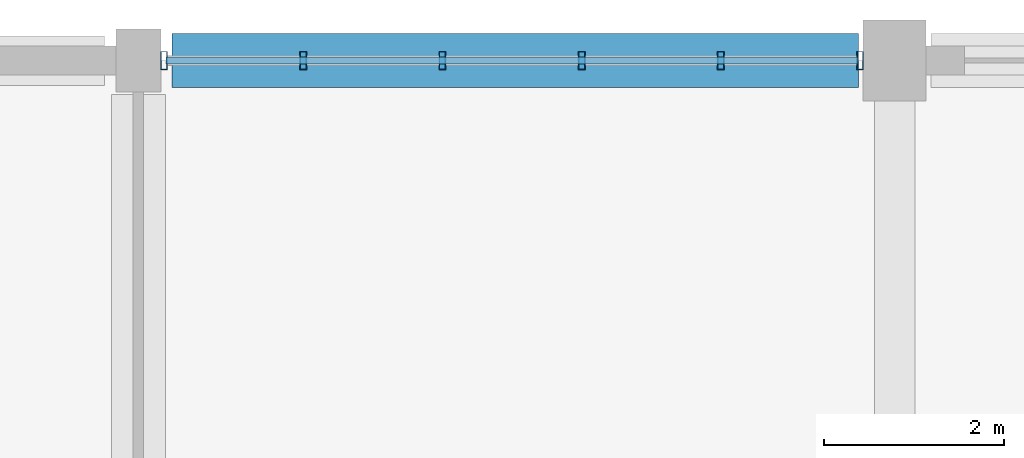
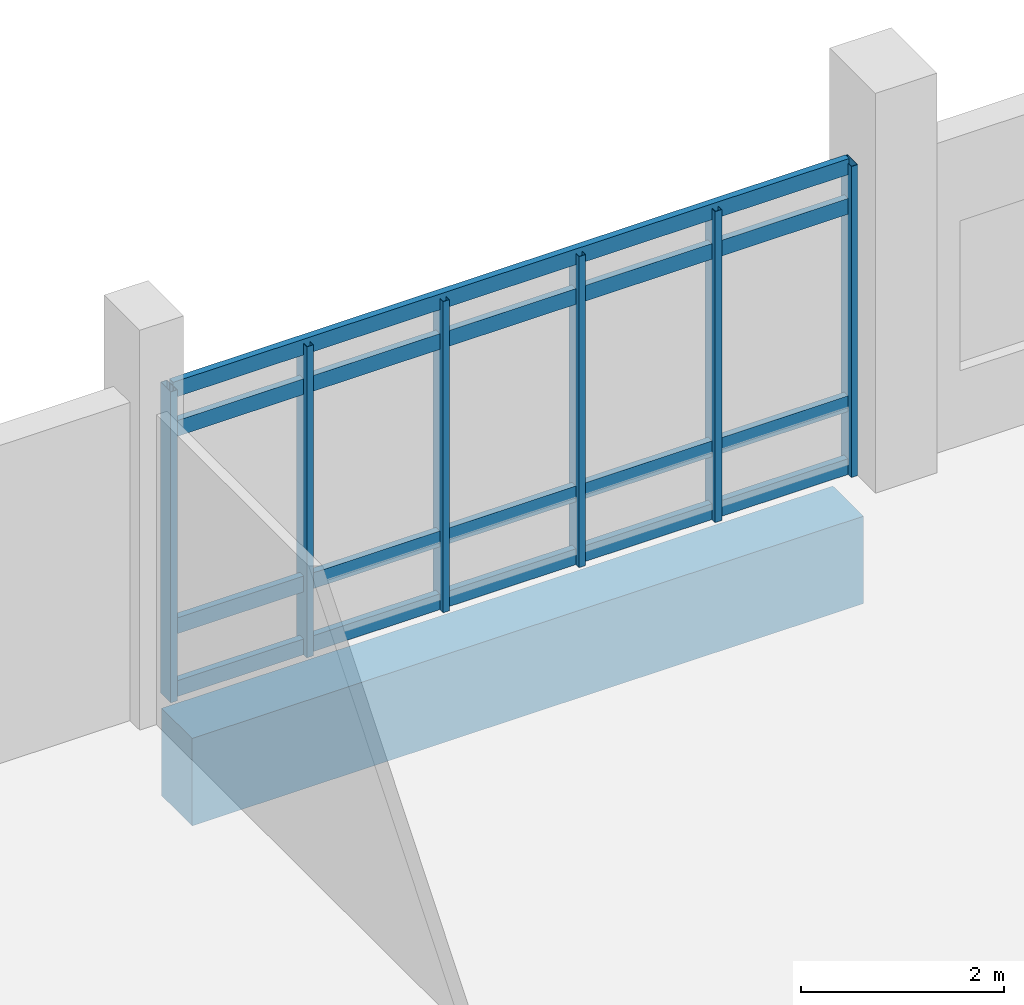
# One storey, part 56 of 95: 10 members, 1 beam, 1 element without a shape of its own.
"""IFC4 building model written with IfcOpenShell, lengths in metres."""

from ifc_helpers import new_model, si_unit, direction, frame, origin, origin_2d, place, context, subcontext, project, spatial, rectangle, hollow_rectangle, extrude, material, layer, layer_set, material_profile, profile_set, type_object, element, aggregate, save


model = new_model("IFC4")

# Units and contexts
model_context = context("Model", 3, precision=1e-05, world=origin(), true_north=direction((0.0, 1.0)))
body_context = subcontext(model_context, "Body", "Model", "MODEL_VIEW")
ifc_project = project(units=[si_unit("LENGTHUNIT", "METRE"), si_unit("AREAUNIT", "SQUARE_METRE"), si_unit("VOLUMEUNIT", "CUBIC_METRE"), si_unit("PLANEANGLEUNIT", "RADIAN"), si_unit("MASSUNIT", "GRAM", prefix="KILO")], contexts=[model_context])

# Site, building, storey
site_placement = place(None, origin())
site = spatial("IfcSite", under=ifc_project, at=site_placement, CompositionType="ELEMENT")
building_placement = place(site_placement, origin())
building = spatial("IfcBuilding", under=site, at=building_placement, Name="Vireocrest Preparatory School", CompositionType="ELEMENT")
storey_placement = place(building_placement, origin())
storey = spatial("IfcBuildingStorey", under=building, at=storey_placement, Name="L00", CompositionType="ELEMENT", Elevation=0.0)

# Curtain wall, members
ifc_material_1 = material(Name="Thermally broken aluminium EN AW-6063-T6", Category="aluminium")
ifc_layer = layer(ifc_material_1, 0.179931640625)
ifc_layer_set = layer_set([ifc_layer], Name="Thermally broken aluminium EN AW-6063-T6")
curtain_wall_type = type_object("IfcCurtainWallType", Name="North Street Curtain Wall 8400x4000", PredefinedType="USERDEFINED", material=ifc_layer_set)
curtain_wall_placement = place(storey_placement, origin())
curtain_wall = element("IfcCurtainWall", 1, at=curtain_wall_placement, inside=storey, type_object=curtain_wall_type, Name="Curtain Wall CW05 CW_L00_CW05_0842_1128_000", ObjectType="CURTAIN WALL", PredefinedType="USERDEFINED")
ifc_material_profile_1 = material_profile(ifc_material_1, hollow_rectangle(XDim=0.074951171875, YDim=0.199951171875, WallThickness=0.0048828125, at=origin_2d()), Name="ALU 75x200x5")
ifc_profile_set_1 = profile_set([ifc_material_profile_1], Name="Thermally broken aluminium EN AW-6063-T6")
member_type_1 = type_object("IfcMemberType", Name="CW Mullion 75x200x5", PredefinedType="MULLION", material=ifc_profile_set_1)
member_1_placement = place(storey_placement, frame((84.284912109375, 112.800048828125, 0.0), z_axis=(0.0, 0.0, 1.0), x_axis=(1.0, 0.0, 0.0)))
member_1 = element("IfcMember", 2, at=member_1_placement, type_object=member_type_1, Name="CW Mullion ML3 CW_L00_CW05_0842_1128_000-1", PredefinedType="MULLION", context=body_context, shape_type="SweptSolid", body=[
    extrude(hollow_rectangle(XDim=0.074951171875, YDim=0.199951171875, WallThickness=0.0048828125, at=origin_2d()), origin(), (0.0, 0.0, 1.0), 3.735107421875),
])
member_2_placement = place(storey_placement, frame((85.8310546875, 112.800048828125, 0.0), z_axis=(0.0, 0.0, 1.0), x_axis=(1.0, 0.0, 0.0)))
member_2 = element("IfcMember", 3, at=member_2_placement, type_object=member_type_1, Name="CW Mullion ML3 CW_L00_CW05_0842_1128_000-2", PredefinedType="MULLION", context=body_context, shape_type="SweptSolid", body=[
    extrude(hollow_rectangle(XDim=0.074951171875, YDim=0.199951171875, WallThickness=0.0048828125, at=origin_2d()), origin(), (0.0, 0.0, 1.0), 3.735107421875),
])
member_3_placement = place(storey_placement, frame((87.376953125, 112.800048828125, 0.0), z_axis=(0.0, 0.0, 1.0), x_axis=(1.0, 0.0, 0.0)))
member_3 = element("IfcMember", 4, at=member_3_placement, type_object=member_type_1, Name="CW Mullion ML3 CW_L00_CW05_0842_1128_000-3", PredefinedType="MULLION", context=body_context, shape_type="SweptSolid", body=[
    extrude(hollow_rectangle(XDim=0.074951171875, YDim=0.199951171875, WallThickness=0.0048828125, at=origin_2d()), origin(), (0.0, 0.0, 1.0), 3.735107421875),
])
member_4_placement = place(storey_placement, frame((88.923095703125, 112.800048828125, 0.0), z_axis=(0.0, 0.0, 1.0), x_axis=(1.0, 0.0, 0.0)))
member_4 = element("IfcMember", 5, at=member_4_placement, type_object=member_type_1, Name="CW Mullion ML3 CW_L00_CW05_0842_1128_000-4", PredefinedType="MULLION", context=body_context, shape_type="SweptSolid", body=[
    extrude(hollow_rectangle(XDim=0.074951171875, YDim=0.199951171875, WallThickness=0.0048828125, at=origin_2d()), origin(), (0.0, 0.0, 1.0), 3.735107421875),
])
member_5_placement = place(storey_placement, frame((90.468994140625, 112.800048828125, 0.0), z_axis=(0.0, 0.0, 1.0), x_axis=(1.0, 0.0, 0.0)))
member_5 = element("IfcMember", 6, at=member_5_placement, type_object=member_type_1, Name="CW Mullion ML3 CW_L00_CW05_0842_1128_000-5", PredefinedType="MULLION", context=body_context, shape_type="SweptSolid", body=[
    extrude(hollow_rectangle(XDim=0.074951171875, YDim=0.199951171875, WallThickness=0.0048828125, at=origin_2d()), origin(), (0.0, 0.0, 1.0), 3.735107421875),
])
member_6_placement = place(storey_placement, frame((92.014892578125, 112.800048828125, 0.0), z_axis=(0.0, 0.0, 1.0), x_axis=(1.0, 0.0, 0.0)))
member_6 = element("IfcMember", 7, at=member_6_placement, type_object=member_type_1, Name="CW Mullion ML3 CW_L00_CW05_0842_1128_000-6", PredefinedType="MULLION", context=body_context, shape_type="SweptSolid", body=[
    extrude(hollow_rectangle(XDim=0.074951171875, YDim=0.199951171875, WallThickness=0.0048828125, at=origin_2d()), origin(), (0.0, 0.0, 1.0), 3.735107421875),
])
ifc_material_profile_2 = material_profile(ifc_material_1, hollow_rectangle(XDim=0.074951171875, YDim=0.18994140625, WallThickness=0.00390625, at=origin_2d()), Name="ALU 75x190x4")
ifc_profile_set_2 = profile_set([ifc_material_profile_2], Name="Thermally broken aluminium EN AW-6063-T6")
member_type_2 = type_object("IfcMemberType", Name="CW Transom 75x190x4", PredefinedType="USERDEFINED", material=ifc_profile_set_2)
member_7_placement = place(storey_placement, frame((84.31005859375, 112.800048828125, 0.094970703125), z_axis=(1.0, 0.0, 0.0), x_axis=(0.0, 1.0, 0.0)))
member_7 = element("IfcMember", 8, at=member_7_placement, type_object=member_type_2, Name="CW Transom TR3 CW_L00_CW05_0842_1128_000-1", ObjectType="TRANSOM", PredefinedType="USERDEFINED", context=body_context, shape_type="SweptSolid", body=[
    extrude(hollow_rectangle(XDim=0.074951171875, YDim=0.18994140625, WallThickness=0.00390625, at=origin_2d()), origin(), (0.0, 0.0, 1.0), 7.679931640625),
])
member_8_placement = place(storey_placement, frame((84.31005859375, 112.800048828125, 0.85009765625), z_axis=(1.0, 0.0, 0.0), x_axis=(0.0, 1.0, 0.0)))
member_8 = element("IfcMember", 9, at=member_8_placement, type_object=member_type_2, Name="CW Transom TR3 CW_L00_CW05_0842_1128_000-2", ObjectType="TRANSOM", PredefinedType="USERDEFINED", context=body_context, shape_type="SweptSolid", body=[
    extrude(hollow_rectangle(XDim=0.074951171875, YDim=0.18994140625, WallThickness=0.00390625, at=origin_2d()), origin(), (0.0, 0.0, 1.0), 7.679931640625),
])
member_9_placement = place(storey_placement, frame((84.31005859375, 112.800048828125, 3.219970703125), z_axis=(1.0, 0.0, 0.0), x_axis=(0.0, 1.0, 0.0)))
member_9 = element("IfcMember", 10, at=member_9_placement, type_object=member_type_2, Name="CW Transom TR3 CW_L00_CW05_0842_1128_000-3", ObjectType="TRANSOM", PredefinedType="USERDEFINED", context=body_context, shape_type="SweptSolid", body=[
    extrude(hollow_rectangle(XDim=0.074951171875, YDim=0.18994140625, WallThickness=0.00390625, at=origin_2d()), origin(), (0.0, 0.0, 1.0), 7.679931640625),
])
member_10_placement = place(storey_placement, frame((84.31005859375, 112.800048828125, 3.695068359375), z_axis=(1.0, 0.0, 0.0), x_axis=(0.0, 1.0, 0.0)))
member_10 = element("IfcMember", 11, at=member_10_placement, type_object=member_type_2, Name="CW Transom TR3 CW_L00_CW05_0842_1128_000-4", ObjectType="TRANSOM", PredefinedType="USERDEFINED", context=body_context, shape_type="SweptSolid", body=[
    extrude(hollow_rectangle(XDim=0.074951171875, YDim=0.18994140625, WallThickness=0.00390625, at=origin_2d()), origin(), (0.0, 0.0, 1.0), 7.679931640625),
])
aggregate(curtain_wall, [member_1, member_2, member_3, member_4, member_5, member_6, member_7, member_8, member_9, member_10])

# Beam
ifc_material_2 = material(Name="Concrete 40 MPa", Category="concrete")
ifc_material_profile_3 = material_profile(ifc_material_2, rectangle(XDim=0.60009765625, YDim=1.050048828125, at=origin_2d()), Name="RC 600x1050")
ifc_profile_set_3 = profile_set([ifc_material_profile_3], Name="Concrete 40 MPa")
beam_type = type_object("IfcBeamType", Name="RC Transfer Girder 600x1050", PredefinedType="BEAM", material=ifc_profile_set_3)
beam_placement = place(storey_placement, frame((84.375, 112.800048828125, -0.875), z_axis=(1.0, 0.0, 0.0), x_axis=(0.0, 1.0, 0.0)))
element("IfcBeam", 12, at=beam_placement, inside=storey, type_object=beam_type, Name="Primary Girder B19 L00-0125", PredefinedType="BEAM", context=body_context, shape_type="SweptSolid", body=[
    extrude(rectangle(XDim=0.60009765625, YDim=1.050048828125, at=origin_2d()), origin(), (0.0, 0.0, 1.0), 7.625),
])

save(model, "model.ifc")
